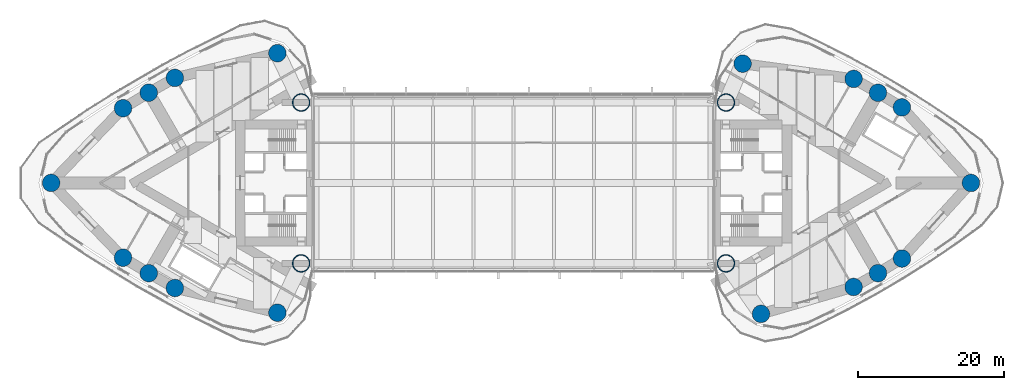
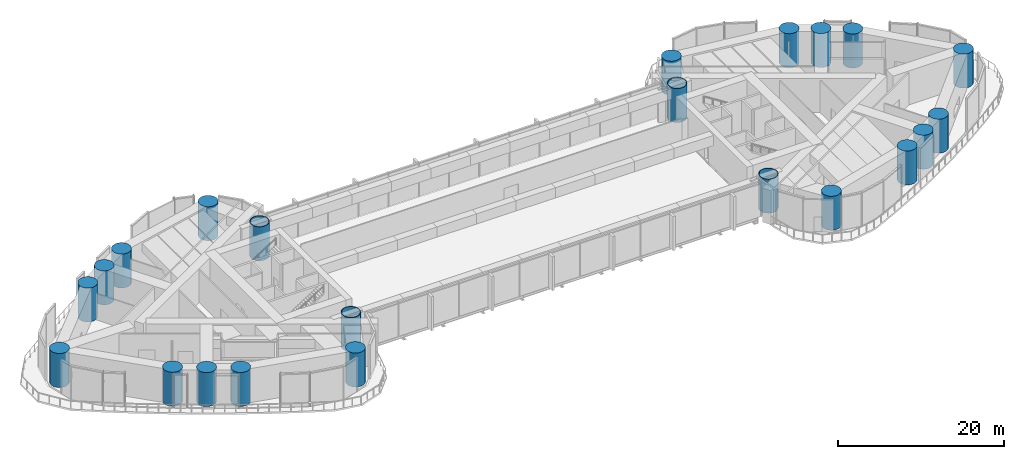
# One storey, part 1 of 22: 22 columns.
"""IFC4 building model written with IfcOpenShell, lengths in metres."""

from ifc_helpers import new_model, si_unit, direction, frame, origin, origin_2d, place, context, subcontext, project, spatial, circle, hollow_circle, extrude, material, material_profile, profile_set, type_object, element, save


model = new_model("IFC4")

# Units and contexts
model_context = context("Model", 3, precision=1e-05, world=origin(), true_north=direction((0.0, 1.0)))
body_context = subcontext(model_context, "Body", "Model", "MODEL_VIEW")
ifc_project = project(units=[si_unit("LENGTHUNIT", "METRE"), si_unit("AREAUNIT", "SQUARE_METRE"), si_unit("VOLUMEUNIT", "CUBIC_METRE"), si_unit("PLANEANGLEUNIT", "RADIAN"), si_unit("MASSUNIT", "GRAM", prefix="KILO")], contexts=[model_context])

# Site, building, storey
site_placement = place(None, origin())
site = spatial("IfcSite", under=ifc_project, at=site_placement, CompositionType="ELEMENT")
building_placement = place(site_placement, origin())
building = spatial("IfcBuilding", under=site, at=building_placement, Name="Lancet Gate Hotel", CompositionType="ELEMENT")
storey_placement = place(building_placement, frame((0.0, 0.0, 210.300048828125)))
storey = spatial("IfcBuildingStorey", under=building, at=storey_placement, Name="L56", CompositionType="ELEMENT", Elevation=210.300048828125)

# Columns
ifc_material_1 = material(Name="Composite filled tube, grade 460 plate, grade 80/95 fill", Category="composite")
ifc_material_profile_1 = material_profile(ifc_material_1, hollow_circle(Radius=1.199951171875, WallThickness=0.090087890625, at=origin_2d()), Name="CHS 2400x90")
ifc_profile_set_1 = profile_set([ifc_material_profile_1], Name="Composite filled tube, grade 460 plate, grade 80/95 fill")
column_type_1 = type_object("IfcColumnType", Name="Perimeter column CFT CHS 2400x90", PredefinedType="COLUMN", material=ifc_profile_set_1)
for number, where, z_axis, x_axis, name in (
    (1, (-29.050048828125, -11.0, 0.0), (0.0, 0.0, 1.0), (1.0, 0.0, 0.0), "T1 column IN L56"),
    (2, (-29.050048828125, 11.0, 0.0), (0.0, 0.0, 1.0), (1.0, 0.0, 0.0), "T1 column IS L56"),
    (3, (29.050048828125, 11.0, 0.0), (0.0, 0.0, 1.0), (1.0, 0.0, 0.0), "T2 column IN L56"),
    (4, (29.050048828125, -11.0, 0.0), (0.0, 0.0, 1.0), (1.0, 0.0, 0.0), "T2 column IS L56"),
):
    element("IfcColumn", number, at=place(storey_placement, frame(where, z_axis=z_axis, x_axis=x_axis)), inside=storey, type_object=column_type_1, Name=name, PredefinedType="COLUMN", context=body_context, shape_type="SweptSolid", body=[
        extrude(hollow_circle(Radius=1.199951171875, WallThickness=0.090087890625, at=origin_2d()), origin(), (0.0, 0.0, 1.0), 5.0),
    ])
ifc_material_2 = material(Name="Concrete C50/60", Category="concrete")
ifc_material_profile_2 = material_profile(ifc_material_2, circle(Radius=1.199951171875, at=origin_2d()), Name="RC D2400")
ifc_profile_set_2 = profile_set([ifc_material_profile_2], Name="Concrete C50/60")
column_type_2 = type_object("IfcColumnType", Name="Perimeter column RC D2400", PredefinedType="COLUMN", material=ifc_profile_set_2)
for number, where, z_axis, x_axis, name in (
    (5, (-63.234375, 0.0, 0.0), (0.0, 0.0, 1.0), (1.0, 0.0, 0.0), "T1 column CA L56"),
    (6, (-32.301025390625, -17.745361328125, 0.0), (0.0, 0.0, 1.0), (1.0, 0.0, 0.0), "T1 column CN L56"),
    (7, (-32.301025390625, 17.745361328125, 0.0), (0.0, 0.0, 1.0), (1.0, 0.0, 0.0), "T1 column CS L56"),
    (8, (-53.40771484375, -10.218994140625, 0.0), (0.0, 0.0, 1.0), (1.0, 0.0, 0.0), "T1 column ON1 L56"),
    (9, (-49.89013671875, -12.340087890625, 0.0), (0.0, 0.0, 1.0), (1.0, 0.0, 0.0), "T1 column ON2 L56"),
    (10, (-46.316650390625, -14.365478515625, 0.0), (0.0, 0.0, 1.0), (1.0, 0.0, 0.0), "T1 column ON3 L56"),
    (11, (-46.316650390625, 14.365478515625, 0.0), (0.0, 0.0, 1.0), (1.0, 0.0, 0.0), "T1 column OS1 L56"),
    (12, (-49.89013671875, 12.340087890625, 0.0), (0.0, 0.0, 1.0), (1.0, 0.0, 0.0), "T1 column OS2 L56"),
    (13, (-53.40771484375, 10.218994140625, 0.0), (0.0, 0.0, 1.0), (1.0, 0.0, 0.0), "T1 column OS3 L56"),
    (14, (62.54150390625, 0.0, 0.0), (0.0, 0.0, 1.0), (1.0, 0.0, 0.0), "T2 column CA L56"),
    (15, (31.328369140625, 16.310791015625, 0.0), (0.0, 0.0, 1.0), (1.0, 0.0, 0.0), "T2 column CN L56"),
    (16, (33.837158203125, -17.906005859375, 0.0), (0.0, 0.0, 1.0), (1.0, 0.0, 0.0), "T2 column CS L56"),
    (17, (53.107666015625, 10.333984375, 0.0), (0.0, 0.0, 1.0), (1.0, 0.0, 0.0), "T2 column ON1 L56"),
    (18, (49.833984375, 12.331787109375, 0.0), (0.0, 0.0, 1.0), (1.0, 0.0, 0.0), "T2 column ON2 L56"),
    (19, (46.499267578125, 14.2255859375, 0.0), (0.0, 0.0, 1.0), (1.0, 0.0, 0.0), "T2 column ON3 L56"),
    (20, (46.499267578125, -14.2255859375, 0.0), (0.0, 0.0, 1.0), (1.0, 0.0, 0.0), "T2 column OS1 L56"),
    (21, (49.833984375, -12.331787109375, 0.0), (0.0, 0.0, 1.0), (1.0, 0.0, 0.0), "T2 column OS2 L56"),
    (22, (53.107666015625, -10.333984375, 0.0), (0.0, 0.0, 1.0), (1.0, 0.0, 0.0), "T2 column OS3 L56"),
):
    element("IfcColumn", number, at=place(storey_placement, frame(where, z_axis=z_axis, x_axis=x_axis)), inside=storey, type_object=column_type_2, Name=name, PredefinedType="COLUMN", context=body_context, shape_type="SweptSolid", body=[
        extrude(circle(Radius=1.199951171875, at=origin_2d()), origin(), (0.0, 0.0, 1.0), 5.0),
    ])

save(model, "model.ifc")
